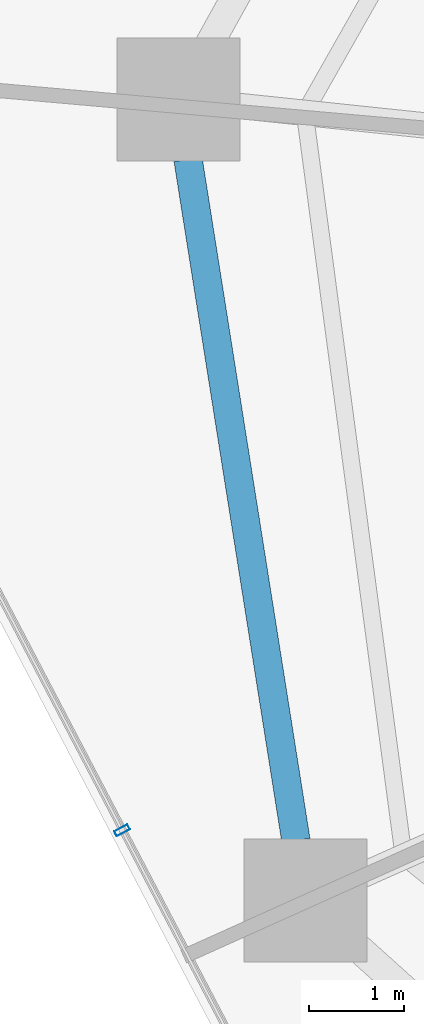
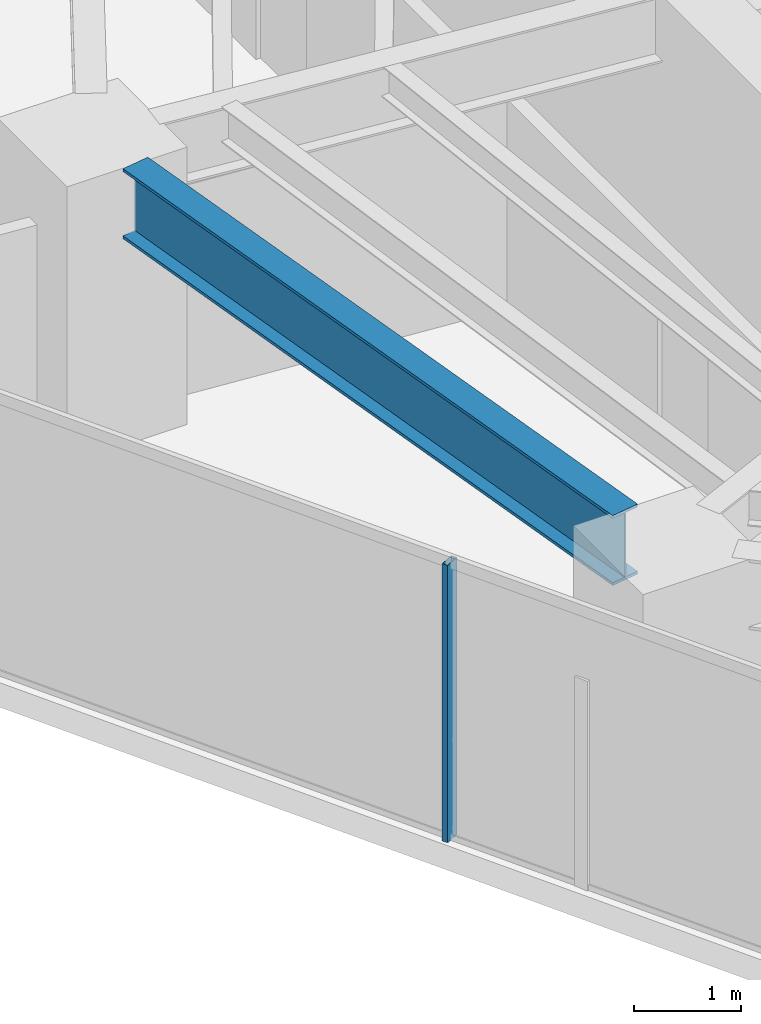
# One storey, part 7 of 30: 1 beam, 1 member, 1 element without a shape of its own.
"""IFC4 building model written with IfcOpenShell, lengths in metres."""

from ifc_helpers import new_model, si_unit, direction, frame, origin, origin_2d, place, context, subcontext, project, spatial, hollow_rectangle, i_section, extrude, material, layer, layer_set, material_profile, profile_set, type_object, element, aggregate, save


model = new_model("IFC4")

# Units and contexts
model_context = context("Model", 3, precision=1e-05, world=origin(), true_north=direction((0.0, 1.0)))
body_context = subcontext(model_context, "Body", "Model", "MODEL_VIEW")
ifc_project = project(units=[si_unit("LENGTHUNIT", "METRE"), si_unit("AREAUNIT", "SQUARE_METRE"), si_unit("VOLUMEUNIT", "CUBIC_METRE"), si_unit("PLANEANGLEUNIT", "RADIAN"), si_unit("MASSUNIT", "GRAM", prefix="KILO")], contexts=[model_context])

# Site, building, storey
site_placement = place(None, origin())
site = spatial("IfcSite", under=ifc_project, at=site_placement, CompositionType="ELEMENT")
building_placement = place(site_placement, origin())
building = spatial("IfcBuilding", under=site, at=building_placement, Name="Qarnah Convention Tower", CompositionType="ELEMENT")
storey_placement = place(building_placement, frame((0.0, 0.0, 58.050048828125)))
storey = spatial("IfcBuildingStorey", under=building, at=storey_placement, Name="L14", CompositionType="ELEMENT", Elevation=58.050048828125)

# Beam
ifc_material_1 = material(Name="Structural steel S355JR", Category="steel")
ifc_material_profile_1 = material_profile(ifc_material_1, i_section(OverallWidth=0.300048828125, OverallDepth=0.800048828125, WebThickness=0.01806640625, FlangeThickness=0.032958984375, at=origin_2d()), Name="HEB800")
ifc_profile_set_1 = profile_set([ifc_material_profile_1], Name="Structural steel S355JR")
beam_type = type_object("IfcBeamType", Name="BM-RING-HEB800", PredefinedType="BEAM", material=ifc_profile_set_1)
beam_placement = place(storey_placement, frame((20.841064453125, 27.498046875, 2.77001953125), z_axis=(0.156433977502, -0.987688417814, 0.0), x_axis=(0.987688417814, 0.156433977502, 0.0)))
element("IfcBeam", 1, at=beam_placement, inside=storey, type_object=beam_type, Name="L14 beam BM-L14-SPN-05", PredefinedType="BEAM", context=body_context, shape_type="SweptSolid", body=[
    extrude(i_section(OverallWidth=0.300048828125, OverallDepth=0.800048828125, WebThickness=0.01806640625, FlangeThickness=0.032958984375, at=origin_2d()), origin(), (0.0, 0.0, 1.0), 7.28662109375),
])

# Curtain wall, member
ifc_material_2 = material(Name="Tempered Low-E dark glass", Category="glass")
ifc_layer = layer(ifc_material_2, 0.16796875)
ifc_layer_set = layer_set([ifc_layer], Name="Tempered Low-E dark glass")
curtain_wall_type = type_object("IfcCurtainWallType", Name="CWS-01", PredefinedType="NOTDEFINED", material=ifc_layer_set)
curtain_wall_placement = place(storey_placement, origin())
curtain_wall = element("IfcCurtainWall", 2, at=curtain_wall_placement, inside=storey, type_object=curtain_wall_type, Name="L14 unitised curtain wall CW-L14-F1", PredefinedType="NOTDEFINED")
ifc_material_3 = material(Name="Black anodised aluminium", Category="aluminium")
ifc_material_profile_2 = material_profile(ifc_material_3, hollow_rectangle(XDim=0.06005859375, YDim=0.159912109375, WallThickness=0.00390625, at=origin_2d()), Name="MUL-60X160")
ifc_profile_set_2 = profile_set([ifc_material_profile_2], Name="Black anodised aluminium")
member_type = type_object("IfcMemberType", Name="MUL-T1", PredefinedType="MULLION", material=ifc_profile_set_2)
member_placement = place(storey_placement, frame((20.14404296875, 20.409912109375, 0.0), z_axis=(0.0, 0.0, 1.0), x_axis=(-0.463290234921, 0.886206611478, 0.0)))
member = element("IfcMember", 3, at=member_placement, type_object=member_type, Name="CW-L14-F1 mullion 4", PredefinedType="MULLION", context=body_context, shape_type="SweptSolid", body=[
    extrude(hollow_rectangle(XDim=0.06005859375, YDim=0.159912109375, WallThickness=0.00390625, at=origin_2d()), origin(), (0.0, 0.0, 1.0), 3.169921875),
])
aggregate(curtain_wall, [member])

save(model, "model.ifc")
